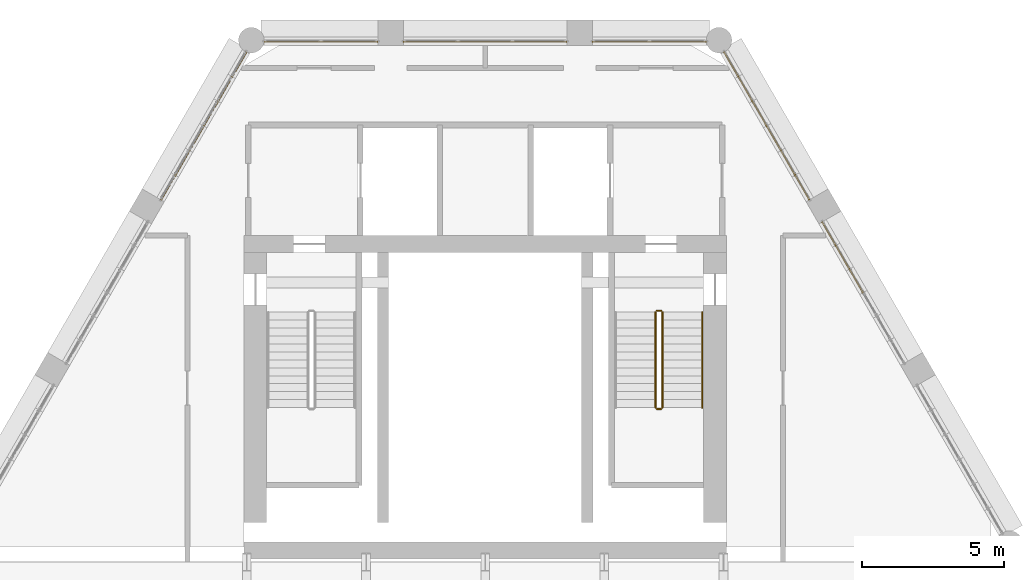
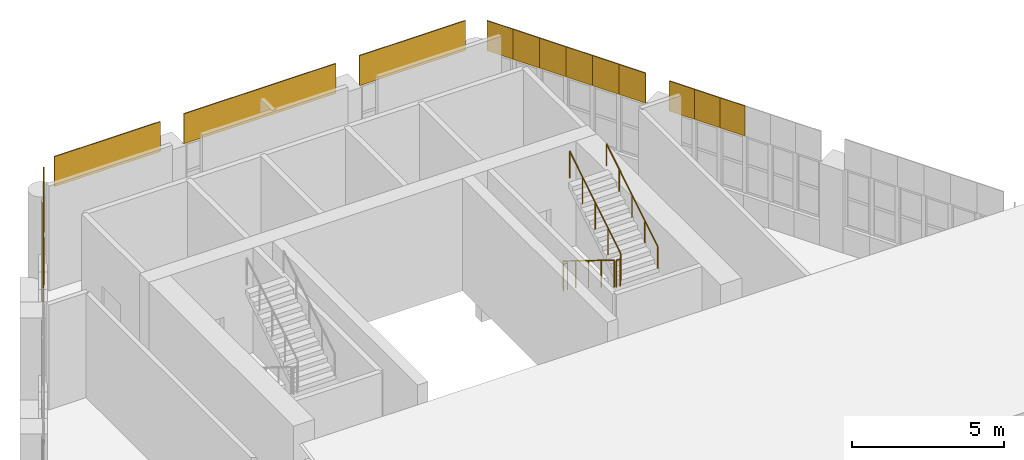
# One storey, part 19 of 20: 18 coverings, 5 railings.
"""IFC4 building model written with IfcOpenShell, lengths in metres."""

from ifc_helpers import new_model, si_unit, direction, frame, origin, origin_2d, place, context, subcontext, project, spatial, polyline, circle, outline, extrude, material, layer, layer_set, type_object, element, save


model = new_model("IFC4")

# Units and contexts
model_context = context("Model", 3, precision=1e-05, world=origin(), true_north=direction((0.0, 1.0)))
body_context = subcontext(model_context, "Body", "Model", "MODEL_VIEW")
ifc_project = project(units=[si_unit("LENGTHUNIT", "METRE"), si_unit("AREAUNIT", "SQUARE_METRE"), si_unit("VOLUMEUNIT", "CUBIC_METRE"), si_unit("PLANEANGLEUNIT", "RADIAN"), si_unit("MASSUNIT", "GRAM", prefix="KILO")], contexts=[model_context])

# Site, building, storey
site_placement = place(None, origin())
site = spatial("IfcSite", under=ifc_project, at=site_placement, CompositionType="ELEMENT")
building_placement = place(site_placement, origin())
building = spatial("IfcBuilding", under=site, at=building_placement, Name="Ostrander Bayou Hotel Tower", CompositionType="ELEMENT")
storey_placement = place(building_placement, frame((0.0, 0.0, 284.0)))
storey = spatial("IfcBuildingStorey", under=building, at=storey_placement, Name="L70", CompositionType="ELEMENT", Elevation=284.0)

# Coverings
ifc_material_1 = material(Name="Reconstituted stone panels", Category="masonry")
ifc_layer = layer(ifc_material_1, 0.0400390625)
ifc_layer_set = layer_set([ifc_layer], Name="CV3 crown cladding 40 mm")
covering_type = type_object("IfcCoveringType", Name="CV3 crown cladding 40 mm", PredefinedType="CLADDING", material=ifc_layer_set)
covering_1_placement = place(storey_placement, frame((7.7958984375, 16.550048828125, 3.300048828125), z_axis=(0.0, 1.0, 0.0), x_axis=(-1.0, 0.0, 0.0)))
element("IfcCovering", 1, at=covering_1_placement, inside=storey, type_object=covering_type, Name="CV3 crown fascia L70", PredefinedType="CLADDING", context=body_context, shape_type="SweptSolid", body=[
    extrude(outline(polyline([(0.0, 0.0), (4.0166015625, 0.0), (4.0166015625, 1.199951171875), (0.0, 1.199951171875), (0.0, 0.0)])), origin(), (0.0, 0.0, -1.0), 0.0400390625),
])
covering_2_placement = place(storey_placement, frame((2.87939453125, 16.550048828125, 3.300048828125), z_axis=(0.0, 1.0, 0.0), x_axis=(-1.0, 0.0, 0.0)))
element("IfcCovering", 2, at=covering_2_placement, inside=storey, type_object=covering_type, Name="CV3 crown fascia L70", PredefinedType="CLADDING", context=body_context, shape_type="SweptSolid", body=[
    extrude(outline(polyline([(0.0, 0.0), (5.7587890625, 0.0), (5.7587890625, 1.199951171875), (0.0, 1.199951171875), (0.0, 0.0)])), origin(), (0.0, 0.0, -1.0), 0.0400390625),
])
covering_3_placement = place(storey_placement, frame((-3.779296875, 16.550048828125, 3.300048828125), z_axis=(0.0, 1.0, 0.0), x_axis=(-1.0, 0.0, 0.0)))
element("IfcCovering", 3, at=covering_3_placement, inside=storey, type_object=covering_type, Name="CV3 crown fascia L70", PredefinedType="CLADDING", context=body_context, shape_type="SweptSolid", body=[
    extrude(outline(polyline([(0.0, 0.0), (4.0166015625, 0.0), (4.0166015625, 1.199951171875), (0.0, 1.199951171875), (0.0, 0.0)])), origin(), (0.0, 0.0, -1.0), 0.0400390625),
])
covering_4_placement = place(storey_placement, frame((-8.431884765625, 16.182373046875, 3.300048828125), z_axis=(-0.865942374699, 0.500143783026, 0.0), x_axis=(-0.500143783026, -0.865942374699, 0.0)))
element("IfcCovering", 4, at=covering_4_placement, inside=storey, type_object=covering_type, Name="CV3 crown fascia L70", PredefinedType="CLADDING", context=body_context, shape_type="SweptSolid", body=[
    extrude(outline(polyline([(0.0, 0.0), (1.0031295027587228, 0.0), (1.0031295027587228, 1.1999511718750002), (0.0, 1.1999511718750002), (0.0, 0.0)])), origin(), (0.0, 0.0, -1.0), 0.0400390625),
])
covering_5_placement = place(storey_placement, frame((-8.93359375, 15.313720703125, 3.300048828125), z_axis=(-0.8660032352, 0.500038395149, 0.0), x_axis=(-0.500038395149, -0.8660032352, 0.0)))
element("IfcCovering", 5, at=covering_5_placement, inside=storey, type_object=covering_type, Name="CV3 crown fascia L70", PredefinedType="CLADDING", context=body_context, shape_type="SweptSolid", body=[
    extrude(outline(polyline([(0.0, 0.0), (1.003340921901339, 0.0), (1.003340921901339, 1.199951171875), (0.0, 1.199951171875), (0.0, 0.0)])), origin(), (0.0, 0.0, -1.0), 0.0400390625),
])
covering_6_placement = place(storey_placement, frame((-9.435302734375, 14.44482421875, 3.300048828125), z_axis=(-0.866047774678, 0.499961250474, 0.0), x_axis=(-0.499961250474, -0.866047774678, 0.0)))
element("IfcCovering", 6, at=covering_6_placement, inside=storey, type_object=covering_type, Name="CV3 crown fascia L70", PredefinedType="CLADDING", context=body_context, shape_type="SweptSolid", body=[
    extrude(outline(polyline([(0.0, 0.0), (1.0030074196233945, 0.0), (1.0030074196233945, 1.199951171875), (0.0, 1.199951171875), (0.0, 0.0)])), origin(), (0.0, 0.0, -1.0), 0.0400390625),
])
covering_7_placement = place(storey_placement, frame((-9.936767578125, 13.576171875, 3.300048828125), z_axis=(-0.866108598161, 0.499855875421, 0.0), x_axis=(-0.499855875421, -0.866108598161, 0.0)))
element("IfcCovering", 7, at=covering_7_placement, inside=storey, type_object=covering_type, Name="CV3 crown fascia L70", PredefinedType="CLADDING", context=body_context, shape_type="SweptSolid", body=[
    extrude(outline(polyline([(0.0, 0.0), (1.0032188644939084, 0.0), (1.0032188644939084, 1.1999511718750002), (0.0, 1.1999511718750002), (0.0, 0.0)])), origin(), (0.0, 0.0, -1.0), 0.0400390625),
])
covering_8_placement = place(storey_placement, frame((-10.438232421875, 12.707275390625, 3.300048828125), z_axis=(-0.865942374699, 0.500143783026, 0.0), x_axis=(-0.500143783026, -0.865942374699, 0.0)))
element("IfcCovering", 8, at=covering_8_placement, inside=storey, type_object=covering_type, Name="CV3 crown fascia L70", PredefinedType="CLADDING", context=body_context, shape_type="SweptSolid", body=[
    extrude(outline(polyline([(0.0, 0.0), (1.0031295027587228, 0.0), (1.0031295027587228, 1.1999511718750002), (0.0, 1.1999511718750002), (0.0, 0.0)])), origin(), (0.0, 0.0, -1.0), 0.0400390625),
])
covering_9_placement = place(storey_placement, frame((-10.93994140625, 11.838623046875, 3.300048828125), z_axis=(-0.866108598161, 0.499855875421, 0.0), x_axis=(-0.499855875421, -0.866108598161, 0.0)))
element("IfcCovering", 9, at=covering_9_placement, inside=storey, type_object=covering_type, Name="CV3 crown fascia L70", PredefinedType="CLADDING", context=body_context, shape_type="SweptSolid", body=[
    extrude(outline(polyline([(0.0, 0.0), (1.0032188644939084, 0.0), (1.0032188644939084, 1.1999511718750002), (0.0, 1.1999511718750002), (0.0, 0.0)])), origin(), (0.0, 0.0, -1.0), 0.0400390625),
])
covering_10_placement = place(storey_placement, frame((13.331298828125, 7.69677734375, 3.300048828125), z_axis=(0.866011930837, 0.500023335103, 0.0), x_axis=(-0.500023335103, 0.866011930837, 0.0)))
element("IfcCovering", 10, at=covering_10_placement, inside=storey, type_object=covering_type, Name="CV3 crown fascia L70", PredefinedType="CLADDING", context=body_context, shape_type="SweptSolid", body=[
    extrude(outline(polyline([(0.0, 0.0), (0.9599161380159561, 0.0), (0.9599161380159561, 1.199951171875), (0.0, 1.199951171875), (0.0, 0.0)])), origin(), (0.0, 0.0, -1.0), 0.0400390625),
])
covering_11_placement = place(storey_placement, frame((12.851318359375, 8.528076171875, 3.300048828125), z_axis=(0.865948320045, 0.500133489192, 0.0), x_axis=(-0.500133489192, 0.865948320045, 0.0)))
element("IfcCovering", 11, at=covering_11_placement, inside=storey, type_object=covering_type, Name="CV3 crown fascia L70", PredefinedType="CLADDING", context=body_context, shape_type="SweptSolid", body=[
    extrude(outline(polyline([(0.0, 0.0), (0.9597047170860381, 0.0), (0.9597047170860381, 1.199951171875), (0.0, 1.199951171875), (0.0, 0.0)])), origin(), (0.0, 0.0, -1.0), 0.0400390625),
])
covering_12_placement = place(storey_placement, frame((12.371337890625, 9.359130859375, 3.300048828125), z_axis=(0.866122057702, 0.499832553123, 0.0), x_axis=(-0.499832553123, 0.866122057702, 0.0)))
element("IfcCovering", 12, at=covering_12_placement, inside=storey, type_object=covering_type, Name="CV3 crown fascia L70", PredefinedType="CLADDING", context=body_context, shape_type="SweptSolid", body=[
    extrude(outline(polyline([(0.0, 0.0), (0.9597940852937448, 0.0), (0.9597940852937448, 1.199951171875), (0.0, 1.199951171875), (0.0, 0.0)])), origin(), (0.0, 0.0, -1.0), 0.0400390625),
])
covering_13_placement = place(storey_placement, frame((11.44140625, 10.9697265625, 3.300048828125), z_axis=(0.866108598161, 0.499855875421, 0.0), x_axis=(-0.499855875421, 0.866108598161, 0.0)))
element("IfcCovering", 13, at=covering_13_placement, inside=storey, type_object=covering_type, Name="CV3 crown fascia L70", PredefinedType="CLADDING", context=body_context, shape_type="SweptSolid", body=[
    extrude(outline(polyline([(0.0, 0.0), (1.0032188644939084, 0.0), (1.0032188644939084, 1.1999511718750002), (0.0, 1.1999511718750002), (0.0, 0.0)])), origin(), (0.0, 0.0, -1.0), 0.0400390625),
])
covering_14_placement = place(storey_placement, frame((10.93994140625, 11.838623046875, 3.300048828125), z_axis=(0.865942374699, 0.500143783026, 0.0), x_axis=(-0.500143783026, 0.865942374699, 0.0)))
element("IfcCovering", 14, at=covering_14_placement, inside=storey, type_object=covering_type, Name="CV3 crown fascia L70", PredefinedType="CLADDING", context=body_context, shape_type="SweptSolid", body=[
    extrude(outline(polyline([(0.0, 0.0), (1.0031295027587228, 0.0), (1.0031295027587228, 1.1999511718750002), (0.0, 1.1999511718750002), (0.0, 0.0)])), origin(), (0.0, 0.0, -1.0), 0.0400390625),
])
covering_15_placement = place(storey_placement, frame((10.438232421875, 12.707275390625, 3.300048828125), z_axis=(0.866108598161, 0.499855875421, 0.0), x_axis=(-0.499855875421, 0.866108598161, 0.0)))
element("IfcCovering", 15, at=covering_15_placement, inside=storey, type_object=covering_type, Name="CV3 crown fascia L70", PredefinedType="CLADDING", context=body_context, shape_type="SweptSolid", body=[
    extrude(outline(polyline([(0.0, 0.0), (1.0032188644939084, 0.0), (1.0032188644939084, 1.1999511718750002), (0.0, 1.1999511718750002), (0.0, 0.0)])), origin(), (0.0, 0.0, -1.0), 0.0400390625),
])
covering_16_placement = place(storey_placement, frame((9.936767578125, 13.576171875, 3.300048828125), z_axis=(0.866047774678, 0.499961250474, 0.0), x_axis=(-0.499961250474, 0.866047774678, 0.0)))
element("IfcCovering", 16, at=covering_16_placement, inside=storey, type_object=covering_type, Name="CV3 crown fascia L70", PredefinedType="CLADDING", context=body_context, shape_type="SweptSolid", body=[
    extrude(outline(polyline([(0.0, 0.0), (1.0030074196233945, 0.0), (1.0030074196233945, 1.199951171875), (0.0, 1.199951171875), (0.0, 0.0)])), origin(), (0.0, 0.0, -1.0), 0.0400390625),
])
covering_17_placement = place(storey_placement, frame((9.435302734375, 14.44482421875, 3.300048828125), z_axis=(0.8660032352, 0.500038395149, 0.0), x_axis=(-0.500038395149, 0.8660032352, 0.0)))
element("IfcCovering", 17, at=covering_17_placement, inside=storey, type_object=covering_type, Name="CV3 crown fascia L70", PredefinedType="CLADDING", context=body_context, shape_type="SweptSolid", body=[
    extrude(outline(polyline([(0.0, 0.0), (1.003340921901339, 0.0), (1.003340921901339, 1.199951171875), (0.0, 1.199951171875), (0.0, 0.0)])), origin(), (0.0, 0.0, -1.0), 0.0400390625),
])
covering_18_placement = place(storey_placement, frame((8.93359375, 15.313720703125, 3.300048828125), z_axis=(0.865942374699, 0.500143783026, 0.0), x_axis=(-0.500143783026, 0.865942374699, 0.0)))
element("IfcCovering", 18, at=covering_18_placement, inside=storey, type_object=covering_type, Name="CV3 crown fascia L70", PredefinedType="CLADDING", context=body_context, shape_type="SweptSolid", body=[
    extrude(outline(polyline([(0.0, 0.0), (1.0031295027587228, 0.0), (1.0031295027587228, 1.1999511718750002), (0.0, 1.1999511718750002), (0.0, 0.0)])), origin(), (0.0, 0.0, -1.0), 0.0400390625),
])

# Railings
ifc_material_2 = material(Name="Steel ASTM A500 Gr C", Category="steel")
railing_type_1 = type_object("IfcRailingType", Name="GR1 stair guard 1100 mm steel", PredefinedType="GUARDRAIL", material=ifc_material_2)
railing_1_placement = place(storey_placement, frame((6.0, 7.0, 0.173095703125)))
element("IfcRailing", 19, at=railing_1_placement, inside=storey, type_object=railing_type_1, Name="L70 STB stair guard 1", PredefinedType="GUARDRAIL", context=body_context, shape_type="SweptSolid", body=[
    extrude(circle(Radius=0.02392578125, at=origin_2d()), frame((0.0, 0.0, 1.076171875), z_axis=(0.0, -0.850623216509, 0.525775754039), x_axis=(1.0, 0.0, 0.0)), (0.0, 0.0, 1.0), 3.9501953125),
    extrude(circle(Radius=0.02099609375, at=origin_2d()), origin(), (0.0, 0.0, 1.0), 1.052001953125),
    extrude(circle(Radius=0.02099609375, at=origin_2d()), frame((0.0, -0.840087890625, 0.519287109375)), (0.0, 0.0, 1.0), 1.052001953125),
    extrude(circle(Radius=0.02099609375, at=origin_2d()), frame((0.0, -1.68017578125, 1.03857421875)), (0.0, 0.0, 1.0), 1.052001953125),
    extrude(circle(Radius=0.02099609375, at=origin_2d()), frame((0.0, -2.52001953125, 1.5576171875)), (0.0, 0.0, 1.0), 1.052001953125),
    extrude(circle(Radius=0.02099609375, at=origin_2d()), frame((0.0, -3.360107421875, 2.076904296875)), (0.0, 0.0, 1.0), 1.052001953125),
])
railing_2_placement = place(storey_placement, frame((6.050048828125, 3.590087890625, 2.25)))
element("IfcRailing", 20, at=railing_2_placement, inside=storey, type_object=railing_type_1, Name="L70 STB stair guard 2", PredefinedType="GUARDRAIL", context=body_context, shape_type="SweptSolid", body=[
    extrude(circle(Radius=0.02392578125, at=origin_2d()), frame((0.0, 0.0, 1.076171875), z_axis=(1.0, 0.0, 0.0), x_axis=(0.0, 1.0, 0.0)), (0.0, 0.0, 1.0), 0.14990234375),
    extrude(circle(Radius=0.02099609375, at=origin_2d()), origin(), (0.0, 0.0, 1.0), 1.052001953125),
    extrude(circle(Radius=0.02099609375, at=origin_2d()), frame((0.14990234375, 0.0, 0.0)), (0.0, 0.0, 1.0), 1.052001953125),
])
railing_3_placement = place(storey_placement, frame((6.25, 3.639892578125, 2.423095703125)))
element("IfcRailing", 21, at=railing_3_placement, inside=storey, type_object=railing_type_1, Name="L70 STB stair guard 3", PredefinedType="GUARDRAIL", context=body_context, shape_type="SweptSolid", body=[
    extrude(circle(Radius=0.02392578125, at=origin_2d()), frame((0.0, 0.0, 1.076171875), z_axis=(0.0, 0.850623216509, 0.525775754039), x_axis=(-1.0, 0.0, 0.0)), (0.0, 0.0, 1.0), 3.9501953125),
    extrude(circle(Radius=0.02099609375, at=origin_2d()), origin(), (0.0, 0.0, 1.0), 1.052001953125),
    extrude(circle(Radius=0.02099609375, at=origin_2d()), frame((0.0, 0.840087890625, 0.519287109375)), (0.0, 0.0, 1.0), 1.052001953125),
    extrude(circle(Radius=0.02099609375, at=origin_2d()), frame((0.0, 1.68017578125, 1.03857421875)), (0.0, 0.0, 1.0), 1.052001953125),
    extrude(circle(Radius=0.02099609375, at=origin_2d()), frame((0.0, 2.52001953125, 1.5576171875)), (0.0, 0.0, 1.0), 1.052001953125),
    extrude(circle(Radius=0.02099609375, at=origin_2d()), frame((0.0, 3.360107421875, 2.076904296875)), (0.0, 0.0, 1.0), 1.052001953125),
])
railing_4_placement = place(storey_placement, frame((6.050048828125, 7.050048828125, 0.0)))
element("IfcRailing", 22, at=railing_4_placement, inside=storey, type_object=railing_type_1, Name="L70 STB stair guard 4", PredefinedType="GUARDRAIL", context=body_context, shape_type="SweptSolid", body=[
    extrude(circle(Radius=0.02392578125, at=origin_2d()), frame((0.0, 0.0, 1.076171875), z_axis=(1.0, 0.0, 0.0), x_axis=(0.0, 1.0, 0.0)), (0.0, 0.0, 1.0), 0.14990234375),
    extrude(circle(Radius=0.02099609375, at=origin_2d()), origin(), (0.0, 0.0, 1.0), 1.052001953125),
    extrude(circle(Radius=0.02099609375, at=origin_2d()), frame((0.14990234375, 0.0, 0.0)), (0.0, 0.0, 1.0), 1.052001953125),
])
ifc_material_3 = material(Name="Steel ASTM A500 Gr C", Category="steel")
railing_type_2 = type_object("IfcRailingType", Name="HR1 stair handrail 900 mm steel", PredefinedType="HANDRAIL", material=ifc_material_3)
railing_5_placement = place(storey_placement, frame((7.64990234375, 3.639892578125, 2.423095703125)))
element("IfcRailing", 23, at=railing_5_placement, inside=storey, type_object=railing_type_2, Name="L70 STB stair handrail 2", PredefinedType="HANDRAIL", context=body_context, shape_type="SweptSolid", body=[
    extrude(circle(Radius=0.02392578125, at=origin_2d()), frame((0.0, 0.0, 0.8759765625), z_axis=(0.0, 0.850623216509, 0.525775754039), x_axis=(-1.0, 0.0, 0.0)), (0.0, 0.0, 1.0), 3.9501953125),
    extrude(circle(Radius=0.02099609375, at=origin_2d()), origin(), (0.0, 0.0, 1.0), 0.851806640625),
    extrude(circle(Radius=0.02099609375, at=origin_2d()), frame((0.0, 0.840087890625, 0.519287109375)), (0.0, 0.0, 1.0), 0.851806640625),
    extrude(circle(Radius=0.02099609375, at=origin_2d()), frame((0.0, 1.68017578125, 1.03857421875)), (0.0, 0.0, 1.0), 0.851806640625),
    extrude(circle(Radius=0.02099609375, at=origin_2d()), frame((0.0, 2.52001953125, 1.5576171875)), (0.0, 0.0, 1.0), 0.851806640625),
    extrude(circle(Radius=0.02099609375, at=origin_2d()), frame((0.0, 3.360107421875, 2.076904296875)), (0.0, 0.0, 1.0), 0.851806640625),
])

save(model, "model.ifc")
